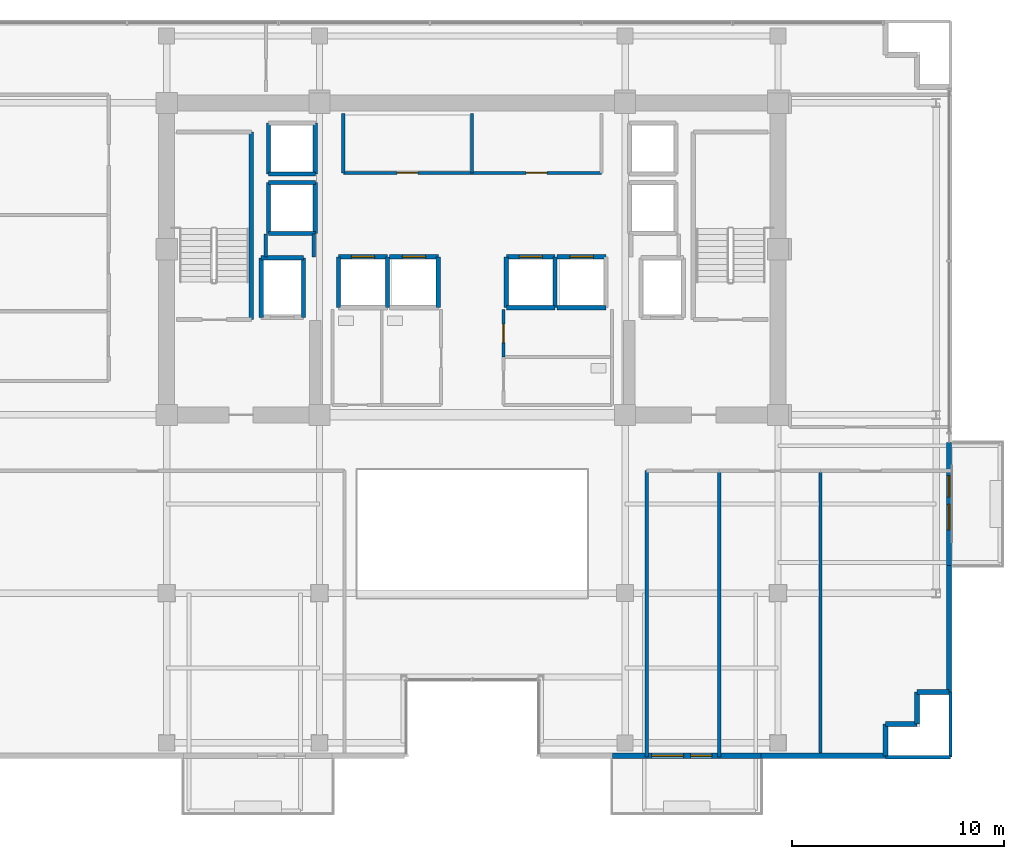
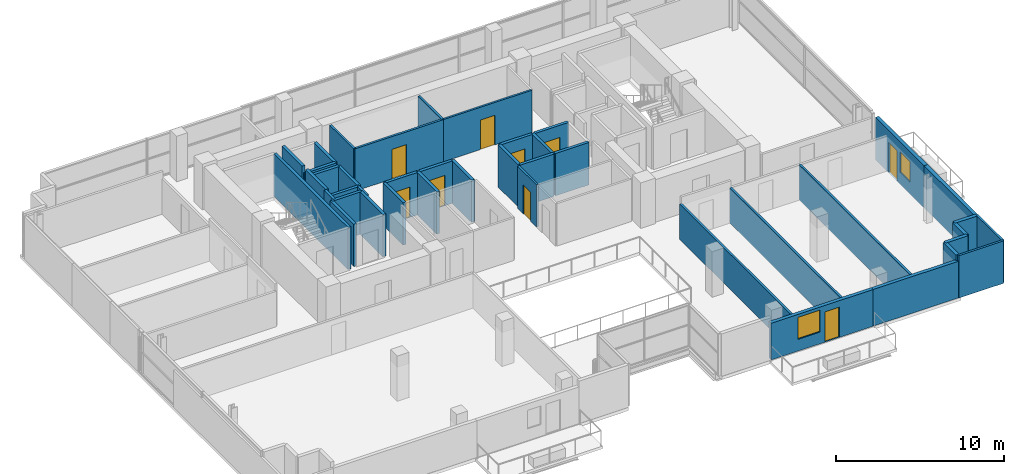
# One storey, part 19 of 25: 42 walls, 9 doors, 2 windows, 11 openings.
"""IFC4 building model written with IfcOpenShell, lengths in metres."""

from ifc_helpers import new_model, si_unit, direction, frame, frame_2d, origin, place, context, subcontext, project, spatial, rectangle, extrude, source, transform, mapped, material, layer, layer_set, type_object, element, fill, save


model = new_model("IFC4")

# Units and contexts
model_context = context("Model", 3, precision=1e-05, world=origin(), true_north=direction((0.0, 1.0)))
body_context = subcontext(model_context, "Body", "Model", "MODEL_VIEW")
ifc_project = project(units=[si_unit("LENGTHUNIT", "METRE"), si_unit("AREAUNIT", "SQUARE_METRE"), si_unit("VOLUMEUNIT", "CUBIC_METRE"), si_unit("PLANEANGLEUNIT", "RADIAN"), si_unit("MASSUNIT", "GRAM", prefix="KILO")], contexts=[model_context])

# Site, building, storey
site_placement = place(None, origin())
site = spatial("IfcSite", under=ifc_project, at=site_placement, CompositionType="ELEMENT")
building_placement = place(site_placement, origin())
building = spatial("IfcBuilding", under=site, at=building_placement, Name="Zarnakvel Exchange Tower", CompositionType="ELEMENT")
storey_placement = place(building_placement, frame((0.0, 0.0, 156.10009765625)))
storey = spatial("IfcBuildingStorey", under=building, at=storey_placement, Name="L43", CompositionType="ELEMENT", Elevation=156.10009765625)

# Wall, openings, door, window
ifc_material_1 = material(Name="Precast concrete C40/50", Category="concrete")
ifc_layer_1 = layer(ifc_material_1, 0.239990234375)
ifc_layer_set_1 = layer_set([ifc_layer_1], Name="Precast concrete C40/50")
wall_type_1 = type_object("IfcWallType", Name="EW-02", PredefinedType="SOLIDWALL", material=ifc_layer_set_1)
wall_1_placement = place(storey_placement, frame((13.60009765625, -17.260009765625, 0.0), z_axis=(0.0, 0.0, 1.0), x_axis=(-1.0, 0.0, 0.0)))
wall_1 = element("IfcWall", 1, at=wall_1_placement, inside=storey, type_object=wall_type_1, Name="L43 Exterior Precast Spandrel Wall EW-BAL-L43-SE (EW-02)", PredefinedType="SOLIDWALL", context=body_context, shape_type="SweptSolid", body=[
    extrude(rectangle(XDim=7.0, YDim=0.239990234375, at=frame_2d((3.5, 0.0))), origin(), (0.0, 0.0, 1.0), 2.664794921875),
])
opening_1_placement = place(wall_1_placement, frame((2.31005859375, 0.0, 0.0)))
opening_1 = element("IfcOpeningElement", 2, at=opening_1_placement, cuts=wall_1, Name="Opening BD-L43-02", PredefinedType="OPENING", context=body_context, shape_type="SweptSolid", body=[
    extrude(rectangle(XDim=1.0, YDim=2.199951171875, at=frame_2d((0.5, 1.10009765625))), frame((0.0, 0.1298828125, 0.0), z_axis=(0.0, -1.0, 0.0), x_axis=(1.0, 0.0, 0.0)), (0.0, 0.0, 1.0), 0.260009765625),
])
opening_2_placement = place(wall_1_placement, frame((3.64990234375, 0.0, 0.85009765625)))
opening_2 = element("IfcOpeningElement", 3, at=opening_2_placement, cuts=wall_1, Name="Opening WN-03", PredefinedType="OPENING", context=body_context, shape_type="SweptSolid", body=[
    extrude(rectangle(XDim=1.5, YDim=1.60009765625, at=frame_2d((0.75, 0.800048828125))), frame((0.0, 0.1298828125, 0.0), z_axis=(0.0, -1.0, 0.0), x_axis=(1.0, 0.0, 0.0)), (0.0, 0.0, 1.0), 0.260009765625),
])
ifc_material_2 = material(Name="Architectural Bronze Anodised Aluminium", Category="aluminium")
door_type_1 = type_object("IfcDoorType", Name="DT-09", OperationType="NOTDEFINED", PredefinedType="DOOR", material=ifc_material_2)
shared_shape_1 = source(origin(), body_context, "Body", "SweptSolid", [
    extrude(rectangle(XDim=1.0, YDim=2.199951171875, at=frame_2d((0.5, 1.10009765625))), frame((0.0, 0.02490234375, 0.0), z_axis=(0.0, -1.0, 0.0), x_axis=(1.0, 0.0, 0.0)), (0.0, 0.0, 1.0), 0.050048828125),
])
door_1_placement = place(opening_1_placement, origin())
door_1 = element("IfcDoor", 4, at=door_1_placement, inside=storey, type_object=door_type_1, Name="L43 Planted Loggia Balcony Door BD-L43-02", OperationType="SINGLE_SWING_RIGHT", OverallHeight=2.199951171875, OverallWidth=1.0, PredefinedType="DOOR", context=body_context, shape_type="MappedRepresentation", body=[
    mapped(shared_shape_1, transform((0.0, 0.0, 0.0), x_axis=(1.0, 0.0, 0.0), y_axis=(0.0, 1.0, 0.0), z_axis=(0.0, 0.0, 1.0), scale=1.0)),
])
fill(opening_1, door_1)
ifc_material_3 = material(Name="Double Low-E Laminated Vision Glass", Category="glass")
window_type_1 = type_object("IfcWindowType", Name="WN-03", PartitioningType="SINGLE_PANEL", PredefinedType="WINDOW", material=ifc_material_3)
shared_shape_2 = source(origin(), body_context, "Body", "SweptSolid", [
    extrude(rectangle(XDim=1.5, YDim=1.60009765625, at=frame_2d((0.75, 0.800048828125))), frame((0.0, 0.030029296875, 0.0), z_axis=(0.0, -1.0, 0.0), x_axis=(1.0, 0.0, 0.0)), (0.0, 0.0, 1.0), 0.06005859375),
])
window_1_placement = place(opening_2_placement, origin())
window_1 = element("IfcWindow", 5, at=window_1_placement, inside=storey, type_object=window_type_1, Name="L43 Loggia Daylight Window (WN-03)", OverallHeight=1.60009765625, OverallWidth=1.5, PartitioningType="SINGLE_PANEL", PredefinedType="WINDOW", context=body_context, shape_type="MappedRepresentation", body=[
    mapped(shared_shape_2, transform((0.0, 0.0, 0.0), x_axis=(1.0, 0.0, 0.0), y_axis=(0.0, 1.0, 0.0), z_axis=(0.0, 0.0, 1.0), scale=1.0)),
])
fill(opening_2, window_1)

wall_2_placement = place(storey_placement, frame((22.4599609375, -2.5, 0.0), z_axis=(0.0, 0.0, 1.0), x_axis=(0.0, -1.0, 0.0)))
wall_2 = element("IfcWall", 6, at=wall_2_placement, inside=storey, type_object=wall_type_1, Name="L43 Exterior Precast Spandrel Wall EW-BAL-L43-E (EW-02)", PredefinedType="SOLIDWALL", context=body_context, shape_type="SweptSolid", body=[
    extrude(rectangle(XDim=5.800048828125, YDim=0.239990234375, at=frame_2d((2.89990234375, 0.0))), origin(), (0.0, 0.0, 1.0), 3.074951171875),
])
opening_3_placement = place(wall_2_placement, frame((1.56591796875, 0.0, 0.0)))
opening_3 = element("IfcOpeningElement", 7, at=opening_3_placement, cuts=wall_2, Name="Opening BD-L43-03", PredefinedType="OPENING", context=body_context, shape_type="SweptSolid", body=[
    extrude(rectangle(XDim=1.0, YDim=2.199951171875, at=frame_2d((0.5, 1.10009765625))), frame((0.0, 0.1298828125, 0.0), z_axis=(0.0, -1.0, 0.0), x_axis=(1.0, 0.0, 0.0)), (0.0, 0.0, 1.0), 0.260009765625),
])
opening_4_placement = place(wall_2_placement, frame((2.916015625, 0.0, 0.85009765625)))
opening_4 = element("IfcOpeningElement", 8, at=opening_4_placement, cuts=wall_2, Name="Opening WN-04", PredefinedType="OPENING", context=body_context, shape_type="SweptSolid", body=[
    extrude(rectangle(XDim=1.199951171875, YDim=1.5, at=frame_2d((0.60009765625, 0.75))), frame((0.0, 0.1298828125, 0.0), z_axis=(0.0, -1.0, 0.0), x_axis=(1.0, 0.0, 0.0)), (0.0, 0.0, 1.0), 0.260009765625),
])
door_2_placement = place(opening_3_placement, origin())
door_2 = element("IfcDoor", 9, at=door_2_placement, inside=storey, type_object=door_type_1, Name="L43 Planted Loggia Balcony Door BD-L43-03", OperationType="SINGLE_SWING_LEFT", OverallHeight=2.199951171875, OverallWidth=1.0, PredefinedType="DOOR", context=body_context, shape_type="MappedRepresentation", body=[
    mapped(shared_shape_1, transform((0.0, 0.0, 0.0), x_axis=(1.0, 0.0, 0.0), y_axis=(0.0, 1.0, 0.0), z_axis=(0.0, 0.0, 1.0), scale=1.0)),
])
fill(opening_3, door_2)
window_type_2 = type_object("IfcWindowType", Name="WN-04", PartitioningType="SINGLE_PANEL", PredefinedType="WINDOW", material=ifc_material_3)
shared_shape_3 = source(origin(), body_context, "Body", "SweptSolid", [
    extrude(rectangle(XDim=1.199951171875, YDim=1.5, at=frame_2d((0.60009765625, 0.75))), frame((0.0, 0.030029296875, 0.0), z_axis=(0.0, -1.0, 0.0), x_axis=(1.0, 0.0, 0.0)), (0.0, 0.0, 1.0), 0.06005859375),
])
window_2_placement = place(opening_4_placement, origin())
window_2 = element("IfcWindow", 10, at=window_2_placement, inside=storey, type_object=window_type_2, Name="L43 Loggia Daylight Window (WN-04)", OverallHeight=1.5, OverallWidth=1.199951171875, PartitioningType="SINGLE_PANEL", PredefinedType="WINDOW", context=body_context, shape_type="MappedRepresentation", body=[
    mapped(shared_shape_3, transform((0.0, 0.0, 0.0), x_axis=(1.0, 0.0, 0.0), y_axis=(0.0, 1.0, 0.0), z_axis=(0.0, 0.0, 1.0), scale=1.0)),
])
fill(opening_4, window_2)

# Walls
wall_3_placement = place(storey_placement, frame((22.4599609375, -14.260009765625, 0.0), z_axis=(0.0, 0.0, 1.0), x_axis=(0.0, 1.0, 0.0)))
element("IfcWall", 11, at=wall_3_placement, inside=storey, type_object=wall_type_1, Name="L43 Exterior Precast Spandrel Wall EWC-L43-10 (EW-02)", PredefinedType="SOLIDWALL", context=body_context, shape_type="SweptSolid", body=[
    extrude(rectangle(XDim=5.9599609375, YDim=0.239990234375, at=frame_2d((2.97998046875, 0.0))), origin(), (0.0, 0.0, 1.0), 3.074951171875),
])
for number, where, z_axis, x_axis, name in (
    (12, (20.9599609375, -14.260009765625, 0.0), (0.0, 0.0, 1.0), (1.0, 0.0, 0.0), "L43 Exterior Precast Spandrel Wall EWC-L43-11 (EW-02)"),
    (13, (20.9599609375, -15.760009765625, 0.0), (0.0, 0.0, 1.0), (0.0, 1.0, 0.0), "L43 Exterior Precast Spandrel Wall EWC-L43-12 (EW-02)"),
    (14, (19.4599609375, -15.760009765625, 0.0), (0.0, 0.0, 1.0), (1.0, 0.0, 0.0), "L43 Exterior Precast Spandrel Wall EWC-L43-13 (EW-02)"),
    (15, (19.4599609375, -17.260009765625, 0.0), (0.0, 0.0, 1.0), (0.0, 1.0, 0.0), "L43 Exterior Precast Spandrel Wall EWC-L43-14 (EW-02)"),
):
    element("IfcWall", number, at=place(storey_placement, frame(where, z_axis=z_axis, x_axis=x_axis)), inside=storey, type_object=wall_type_1, Name=name, PredefinedType="SOLIDWALL", context=body_context, shape_type="SweptSolid", body=[
        extrude(rectangle(XDim=1.5, YDim=0.239990234375, at=frame_2d((0.75, 0.0))), origin(), (0.0, 0.0, 1.0), 3.074951171875),
    ])
wall_4_placement = place(storey_placement, frame((13.60009765625, -17.260009765625, 0.0), z_axis=(0.0, 0.0, 1.0), x_axis=(1.0, 0.0, 0.0)))
element("IfcWall", 16, at=wall_4_placement, inside=storey, type_object=wall_type_1, Name="L43 Exterior Precast Spandrel Wall EWC-L43-15 (EW-02)", PredefinedType="SOLIDWALL", context=body_context, shape_type="SweptSolid", body=[
    extrude(rectangle(XDim=5.85986328125, YDim=0.239990234375, at=frame_2d((2.929931640625, 0.0))), origin(), (0.0, 0.0, 1.0), 2.664794921875),
])

# Wall, opening, door
ifc_material_4 = material(Name="Fire-Rated Gypsum Stud Partition", Category="gypsum")
ifc_layer_2 = layer(ifc_material_4, 0.14990234375)
ifc_layer_set_2 = layer_set([ifc_layer_2], Name="Fire-Rated Gypsum Stud Partition")
wall_type_2 = type_object("IfcWallType", Name="PT-01", PredefinedType="PARTITIONING", material=ifc_layer_set_2)
wall_5_placement = place(storey_placement, frame((-0.02001953125, 10.199951171875, 0.0), z_axis=(0.0, 0.0, 1.0), x_axis=(-1.0, 0.0, 0.0)))
wall_5 = element("IfcWall", 17, at=wall_5_placement, inside=storey, type_object=wall_type_2, Name="L43 Partition Wall PWALL-L43-011 (PT-01)", PredefinedType="PARTITIONING", context=body_context, shape_type="SweptSolid", body=[
    extrude(rectangle(XDim=6.06005859375, YDim=0.14990234375, at=frame_2d((3.030029296875, 0.0))), origin(), (0.0, 0.0, 1.0), 3.074951171875),
])
opening_5_placement = place(wall_5_placement, frame((2.5400390625, 0.0, 0.0)))
opening_5 = element("IfcOpeningElement", 18, at=opening_5_placement, cuts=wall_5, Name="Opening D-L43-05", PredefinedType="OPENING", context=body_context, shape_type="SweptSolid", body=[
    extrude(rectangle(XDim=0.97998046875, YDim=2.14990234375, at=frame_2d((0.489990234375, 1.074951171875))), frame((0.0, 0.0849609375, 0.0), z_axis=(0.0, -1.0, 0.0), x_axis=(1.0, 0.0, 0.0)), (0.0, 0.0, 1.0), 0.169921875),
])
ifc_material_5 = material(Name="Timber Acoustic Veneer", Category="wood")
door_type_2 = type_object("IfcDoorType", Name="DT-05", OperationType="NOTDEFINED", PredefinedType="DOOR", material=ifc_material_5)
shared_shape_4 = source(origin(), body_context, "Body", "SweptSolid", [
    extrude(rectangle(XDim=0.97998046875, YDim=2.14990234375, at=frame_2d((0.489990234375, 1.074951171875))), frame((0.0, 0.02490234375, 0.0), z_axis=(0.0, -1.0, 0.0), x_axis=(1.0, 0.0, 0.0)), (0.0, 0.0, 1.0), 0.050048828125),
])
door_3_placement = place(opening_5_placement, origin())
door_3 = element("IfcDoor", 19, at=door_3_placement, inside=storey, type_object=door_type_2, Name="L43 Settlement Records Suite Door D-L43-05", OperationType="SINGLE_SWING_RIGHT", OverallHeight=2.14990234375, OverallWidth=0.97998046875, PredefinedType="DOOR", context=body_context, shape_type="MappedRepresentation", body=[
    mapped(shared_shape_4, transform((0.0, 0.0, 0.0), x_axis=(1.0, 0.0, 0.0), y_axis=(0.0, 1.0, 0.0), z_axis=(0.0, 0.0, 1.0), scale=1.0)),
])
fill(opening_5, door_3)

# Walls
for number, where, z_axis, x_axis, name in (
    (20, (-6.080078125, 10.199951171875, 0.0), (0.0, 0.0, 1.0), (0.0, 1.0, 0.0), "L43 Partition Wall PWALL-L43-012 (PT-01)"),
    (21, (-0.02001953125, 13.0, 0.0), (0.0, 0.0, 1.0), (0.0, -1.0, 0.0), "L43 Partition Wall PWALL-L43-013 (PT-01)"),
):
    element("IfcWall", number, at=place(storey_placement, frame(where, z_axis=z_axis, x_axis=x_axis)), inside=storey, type_object=wall_type_2, Name=name, PredefinedType="PARTITIONING", context=body_context, shape_type="SweptSolid", body=[
        extrude(rectangle(XDim=2.800048828125, YDim=0.14990234375, at=frame_2d((1.39990234375, 0.0))), origin(), (0.0, 0.0, 1.0), 3.074951171875),
    ])

# Wall, opening, door
wall_6_placement = place(storey_placement, frame((1.469970703125, 1.52001953125, 0.0), z_axis=(0.0, 0.0, 1.0), x_axis=(0.0, 1.0, 0.0)))
wall_6 = element("IfcWall", 22, at=wall_6_placement, inside=storey, type_object=wall_type_2, Name="L43 Partition Wall PWALL-L43-025 (PT-01)", PredefinedType="PARTITIONING", context=body_context, shape_type="SweptSolid", body=[
    extrude(rectangle(XDim=2.239990234375, YDim=0.14990234375, at=frame_2d((1.1201171875, 0.0))), origin(), (0.0, 0.0, 1.0), 3.074951171875),
])
opening_6_placement = place(wall_6_placement, frame((0.679931640625, 0.0, 0.0)))
opening_6 = element("IfcOpeningElement", 23, at=opening_6_placement, cuts=wall_6, Name="Opening D-L43-10", PredefinedType="OPENING", context=body_context, shape_type="SweptSolid", body=[
    extrude(rectangle(XDim=0.8798828125, YDim=2.10009765625, at=frame_2d((0.43994140625, 1.050048828125))), frame((0.0, 0.0849609375, 0.0), z_axis=(0.0, -1.0, 0.0), x_axis=(1.0, 0.0, 0.0)), (0.0, 0.0, 1.0), 0.169921875),
])
ifc_material_6 = material(Name="Painted Galvanised Steel S355", Category="steel")
door_type_3 = type_object("IfcDoorType", Name="DT-08", OperationType="NOTDEFINED", PredefinedType="DOOR", material=ifc_material_6)
shared_shape_5 = source(origin(), body_context, "Body", "SweptSolid", [
    extrude(rectangle(XDim=0.8798828125, YDim=2.10009765625, at=frame_2d((0.43994140625, 1.050048828125))), frame((0.0, 0.02490234375, 0.0), z_axis=(0.0, -1.0, 0.0), x_axis=(1.0, 0.0, 0.0)), (0.0, 0.0, 1.0), 0.050048828125),
])
door_4_placement = place(opening_6_placement, origin())
door_4 = element("IfcDoor", 24, at=door_4_placement, inside=storey, type_object=door_type_3, Name="L43 Cleaners Store Door D-L43-10", OperationType="SINGLE_SWING_LEFT", OverallHeight=2.10009765625, OverallWidth=0.8798828125, PredefinedType="DOOR", context=body_context, shape_type="MappedRepresentation", body=[
    mapped(shared_shape_5, transform((0.0, 0.0, 0.0), x_axis=(1.0, 0.0, 0.0), y_axis=(0.0, 1.0, 0.0), z_axis=(0.0, 0.0, 1.0), scale=1.0)),
])
fill(opening_6, door_4)

# Walls
for number, where, z_axis, x_axis, name in (
    (25, (8.214599609375, -17.330078125, 0.0), (0.0, 0.0, 1.0), (0.0, 1.0, 0.0), "L43 Partition Wall PWALL-L43-033 (PT-01)"),
    (26, (11.6298828125, -3.830078125, 0.0), (0.0, 0.0, 1.0), (0.0, -1.0, 0.0), "L43 Partition Wall PWALL-L43-034 (PT-01)"),
    (27, (16.40185546875, -3.830078125, 0.0), (0.0, 0.0, 1.0), (0.0, -1.0, 0.0), "L43 Partition Wall PWALL-L43-037 (PT-01)"),
):
    element("IfcWall", number, at=place(storey_placement, frame(where, z_axis=z_axis, x_axis=x_axis)), inside=storey, type_object=wall_type_2, Name=name, PredefinedType="PARTITIONING", context=body_context, shape_type="SweptSolid", body=[
        extrude(rectangle(XDim=13.5, YDim=0.14990234375, at=frame_2d((6.75, 0.0))), origin(), (0.0, 0.0, 1.0), 2.56494140625),
    ])
for number, where, z_axis, x_axis, name in (
    (28, (22.530029296875, -17.330078125, 0.0), (0.0, 0.0, 1.0), (-1.0, 0.0, 0.0), "L43 Partition Wall PWALL-L43-038 (PT-01)"),
    (29, (22.530029296875, -14.260009765625, 0.0), (0.0, 0.0, 1.0), (0.0, -1.0, 0.0), "L43 Partition Wall PWALL-L43-040 (PT-01)"),
):
    element("IfcWall", number, at=place(storey_placement, frame(where, z_axis=z_axis, x_axis=x_axis)), inside=storey, type_object=wall_type_2, Name=name, PredefinedType="PARTITIONING", context=body_context, shape_type="SweptSolid", body=[
        extrude(rectangle(XDim=3.070068359375, YDim=0.14990234375, at=frame_2d((1.53515625, 0.0))), origin(), (0.0, 0.0, 1.0), 3.074951171875),
    ])
ifc_layer_3 = layer(ifc_material_4, 0.179931640625)
ifc_layer_set_3 = layer_set([ifc_layer_3], Name="Fire-Rated Gypsum Stud Partition")
wall_type_3 = type_object("IfcWallType", Name="PT-02", PredefinedType="PARTITIONING", material=ifc_layer_set_3)
wall_7_placement = place(storey_placement, frame((-9.72998046875, 6.239990234375, 0.0), z_axis=(0.0, 0.0, 1.0), x_axis=(0.0, 1.0, 0.0)))
element("IfcWall", 30, at=wall_7_placement, inside=storey, type_object=wall_type_3, Name="L43 Partition Wall PWALL-L43-007 (PT-02)", PredefinedType="PARTITIONING", context=body_context, shape_type="SweptSolid", body=[
    extrude(rectangle(XDim=1.090087890625, YDim=0.179931640625, at=frame_2d((0.544921875, 0.0))), origin(), (0.0, 0.0, 1.0), 3.074951171875),
])
wall_8_placement = place(storey_placement, frame((-7.469970703125, 7.330078125, 0.0), z_axis=(0.0, 0.0, 1.0), x_axis=(0.0, -1.0, 0.0)))
element("IfcWall", 31, at=wall_8_placement, inside=storey, type_object=wall_type_3, Name="L43 Partition Wall PWALL-L43-008 (PT-02)", PredefinedType="PARTITIONING", context=body_context, shape_type="SweptSolid", body=[
    extrude(rectangle(XDim=1.090087890625, YDim=0.179931640625, at=frame_2d((0.544921875, 0.0))), origin(), (0.0, 0.0, 1.0), 2.56494140625),
])

# Wall, opening, door
ifc_material_7 = material(Name="Moisture-Resistant Tile-Faced Partition", Category="gypsum")
ifc_layer_4 = layer(ifc_material_7, 0.135009765625)
ifc_layer_set_4 = layer_set([ifc_layer_4], Name="Moisture-Resistant Tile-Faced Partition")
wall_type_4 = type_object("IfcWallType", Name="PT-03", PredefinedType="PARTITIONING", material=ifc_layer_set_4)
wall_9_placement = place(storey_placement, frame((6.080078125, 10.199951171875, 0.0), z_axis=(0.0, 0.0, 1.0), x_axis=(-1.0, 0.0, 0.0)))
wall_9 = element("IfcWall", 32, at=wall_9_placement, inside=storey, type_object=wall_type_4, Name="L43 Partition Wall PWALL-L43-014 (PT-03)", PredefinedType="PARTITIONING", context=body_context, shape_type="SweptSolid", body=[
    extrude(rectangle(XDim=6.10009765625, YDim=0.135009765625, at=frame_2d((3.050048828125, 0.0))), origin(), (0.0, 0.0, 1.0), 3.074951171875),
])
opening_7_placement = place(wall_9_placement, frame((2.56005859375, 0.0, 0.0)))
opening_7 = element("IfcOpeningElement", 33, at=opening_7_placement, cuts=wall_9, Name="Opening D-L43-06", PredefinedType="OPENING", context=body_context, shape_type="SweptSolid", body=[
    extrude(rectangle(XDim=0.97998046875, YDim=2.14990234375, at=frame_2d((0.489990234375, 1.074951171875))), frame((0.0, 0.077392578125, 0.0), z_axis=(0.0, -1.0, 0.0), x_axis=(1.0, 0.0, 0.0)), (0.0, 0.0, 1.0), 0.155029296875),
])
door_5_placement = place(opening_7_placement, origin())
door_5 = element("IfcDoor", 34, at=door_5_placement, inside=storey, type_object=door_type_2, Name="L43 Staff Refreshment Pantry Door D-L43-06", OperationType="SINGLE_SWING_LEFT", OverallHeight=2.14990234375, OverallWidth=0.97998046875, PredefinedType="DOOR", context=body_context, shape_type="MappedRepresentation", body=[
    mapped(shared_shape_4, transform((0.0, 0.0, 0.0), x_axis=(1.0, 0.0, 0.0), y_axis=(0.0, 1.0, 0.0), z_axis=(0.0, 0.0, 1.0), scale=1.0)),
])
fill(opening_7, door_5)

# Walls
ifc_material_8 = material(Name="Concrete C40/50", Category="concrete")
ifc_layer_5 = layer(ifc_material_8, 0.199951171875)
ifc_layer_set_5 = layer_set([ifc_layer_5], Name="Concrete C40/50")
wall_type_5 = type_object("IfcWallType", Name="SW-01", PredefinedType="SOLIDWALL", material=ifc_layer_set_5)
wall_10_placement = place(storey_placement, frame((-9.949951171875, 6.199951171875, 0.0), z_axis=(0.0, 0.0, 1.0), x_axis=(1.0, 0.0, 0.0)))
element("IfcWall", 35, at=wall_10_placement, inside=storey, type_object=wall_type_5, Name="L43 FL-01 Hoistway Wall North", PredefinedType="SOLIDWALL", context=body_context, shape_type="SweptSolid", body=[
    extrude(rectangle(XDim=2.0, YDim=0.199951171875, at=frame_2d((1.0, 0.0))), origin(), (0.0, 0.0, 1.0), 3.074951171875),
])
for number, where, z_axis, x_axis, name in (
    (36, (-9.949951171875, 3.39990234375, 0.0), (0.0, 0.0, 1.0), (0.0, 1.0, 0.0), "L43 FL-01 Hoistway Wall West"),
    (37, (-7.949951171875, 6.199951171875, 0.0), (0.0, 0.0, 1.0), (0.0, -1.0, 0.0), "L43 FL-01 Hoistway Wall East"),
):
    element("IfcWall", number, at=place(storey_placement, frame(where, z_axis=z_axis, x_axis=x_axis)), inside=storey, type_object=wall_type_5, Name=name, PredefinedType="SOLIDWALL", context=body_context, shape_type="SweptSolid", body=[
        extrude(rectangle(XDim=2.800048828125, YDim=0.199951171875, at=frame_2d((1.39990234375, 0.0))), origin(), (0.0, 0.0, 1.0), 3.074951171875),
    ])

# Wall, opening, door
wall_11_placement = place(storey_placement, frame((-6.300048828125, 6.25, 0.0), z_axis=(0.0, 0.0, 1.0), x_axis=(1.0, 0.0, 0.0)))
wall_11 = element("IfcWall", 38, at=wall_11_placement, inside=storey, type_object=wall_type_5, Name="L43 PL-05 Hoistway Wall North", PredefinedType="SOLIDWALL", context=body_context, shape_type="SweptSolid", body=[
    extrude(rectangle(XDim=2.300048828125, YDim=0.199951171875, at=frame_2d((1.14990234375, 0.0))), origin(), (0.0, 0.0, 1.0), 3.074951171875),
])
opening_8_placement = place(wall_11_placement, frame((0.60009765625, 0.0, 0.0)))
opening_8 = element("IfcOpeningElement", 39, at=opening_8_placement, cuts=wall_11, Name="Opening LD-PL-05-L43", PredefinedType="OPENING", context=body_context, shape_type="SweptSolid", body=[
    extrude(rectangle(XDim=1.10009765625, YDim=2.199951171875, at=frame_2d((0.550048828125, 1.10009765625))), frame((0.0, 0.10986328125, 0.0), z_axis=(0.0, -1.0, 0.0), x_axis=(1.0, 0.0, 0.0)), (0.0, 0.0, 1.0), 0.219970703125),
])
door_type_4 = type_object("IfcDoorType", Name="LDT-02", OperationType="NOTDEFINED", PredefinedType="DOOR", material=ifc_material_2)
shared_shape_6 = source(origin(), body_context, "Body", "SweptSolid", [
    extrude(rectangle(XDim=1.10009765625, YDim=2.199951171875, at=frame_2d((0.550048828125, 1.10009765625))), frame((0.0, 0.02490234375, 0.0), z_axis=(0.0, -1.0, 0.0), x_axis=(1.0, 0.0, 0.0)), (0.0, 0.0, 1.0), 0.050048828125),
])
door_6_placement = place(opening_8_placement, origin())
door_6 = element("IfcDoor", 40, at=door_6_placement, inside=storey, type_object=door_type_4, Name="L43 PL-05 Lift Landing Door LD-PL-05-L43", OperationType="DOUBLE_DOOR_SLIDING", OverallHeight=2.199951171875, OverallWidth=1.10009765625, PredefinedType="DOOR", context=body_context, shape_type="MappedRepresentation", body=[
    mapped(shared_shape_6, transform((0.0, 0.0, 0.0), x_axis=(1.0, 0.0, 0.0), y_axis=(0.0, 1.0, 0.0), z_axis=(0.0, 0.0, 1.0), scale=1.0)),
])
fill(opening_8, door_6)

# Walls
for number, where, z_axis, x_axis, name in (
    (41, (-6.300048828125, 3.85009765625, 0.0), (0.0, 0.0, 1.0), (0.0, 1.0, 0.0), "L43 PL-05 Hoistway Wall West"),
    (42, (-4.0, 6.25, 0.0), (0.0, 0.0, 1.0), (0.0, -1.0, 0.0), "L43 PL-05 Hoistway Wall East"),
):
    element("IfcWall", number, at=place(storey_placement, frame(where, z_axis=z_axis, x_axis=x_axis)), inside=storey, type_object=wall_type_5, Name=name, PredefinedType="SOLIDWALL", context=body_context, shape_type="SweptSolid", body=[
        extrude(rectangle(XDim=2.39990234375, YDim=0.199951171875, at=frame_2d((1.199951171875, 0.0))), origin(), (0.0, 0.0, 1.0), 3.074951171875),
    ])

# Wall, opening, door
wall_12_placement = place(storey_placement, frame((-3.89990234375, 6.25, 0.0), z_axis=(0.0, 0.0, 1.0), x_axis=(1.0, 0.0, 0.0)))
wall_12 = element("IfcWall", 43, at=wall_12_placement, inside=storey, type_object=wall_type_5, Name="L43 PL-06 Hoistway Wall North", PredefinedType="SOLIDWALL", context=body_context, shape_type="SweptSolid", body=[
    extrude(rectangle(XDim=2.2998046875, YDim=0.199951171875, at=frame_2d((1.14990234375, 0.0))), origin(), (0.0, 0.0, 1.0), 3.074951171875),
])
opening_9_placement = place(wall_12_placement, frame((0.60009765625, 0.0, 0.0)))
opening_9 = element("IfcOpeningElement", 44, at=opening_9_placement, cuts=wall_12, Name="Opening LD-PL-06-L43", PredefinedType="OPENING", context=body_context, shape_type="SweptSolid", body=[
    extrude(rectangle(XDim=1.10009765625, YDim=2.199951171875, at=frame_2d((0.550048828125, 1.10009765625))), frame((0.0, 0.10986328125, 0.0), z_axis=(0.0, -1.0, 0.0), x_axis=(1.0, 0.0, 0.0)), (0.0, 0.0, 1.0), 0.219970703125),
])
door_7_placement = place(opening_9_placement, origin())
door_7 = element("IfcDoor", 45, at=door_7_placement, inside=storey, type_object=door_type_4, Name="L43 PL-06 Lift Landing Door LD-PL-06-L43", OperationType="DOUBLE_DOOR_SLIDING", OverallHeight=2.199951171875, OverallWidth=1.10009765625, PredefinedType="DOOR", context=body_context, shape_type="MappedRepresentation", body=[
    mapped(shared_shape_6, transform((0.0, 0.0, 0.0), x_axis=(1.0, 0.0, 0.0), y_axis=(0.0, 1.0, 0.0), z_axis=(0.0, 0.0, 1.0), scale=1.0)),
])
fill(opening_9, door_7)

# Walls
wall_13_placement = place(storey_placement, frame((-1.60009765625, 6.25, 0.0), z_axis=(0.0, 0.0, 1.0), x_axis=(0.0, -1.0, 0.0)))
element("IfcWall", 46, at=wall_13_placement, inside=storey, type_object=wall_type_5, Name="L43 PL-06 Hoistway Wall East", PredefinedType="SOLIDWALL", context=body_context, shape_type="SweptSolid", body=[
    extrude(rectangle(XDim=2.39990234375, YDim=0.199951171875, at=frame_2d((1.199951171875, 0.0))), origin(), (0.0, 0.0, 1.0), 3.074951171875),
])
wall_14_placement = place(storey_placement, frame((3.89990234375, 3.85009765625, 0.0), z_axis=(0.0, 0.0, 1.0), x_axis=(-1.0, 0.0, 0.0)))
element("IfcWall", 47, at=wall_14_placement, inside=storey, type_object=wall_type_5, Name="L43 PL-07 Hoistway Wall South", PredefinedType="SOLIDWALL", context=body_context, shape_type="SweptSolid", body=[
    extrude(rectangle(XDim=2.2998046875, YDim=0.199951171875, at=frame_2d((1.14990234375, 0.0))), origin(), (0.0, 0.0, 1.0), 3.074951171875),
])

# Wall, opening, door
wall_15_placement = place(storey_placement, frame((1.60009765625, 6.25, 0.0), z_axis=(0.0, 0.0, 1.0), x_axis=(1.0, 0.0, 0.0)))
wall_15 = element("IfcWall", 48, at=wall_15_placement, inside=storey, type_object=wall_type_5, Name="L43 PL-07 Hoistway Wall North", PredefinedType="SOLIDWALL", context=body_context, shape_type="SweptSolid", body=[
    extrude(rectangle(XDim=2.2998046875, YDim=0.199951171875, at=frame_2d((1.14990234375, 0.0))), origin(), (0.0, 0.0, 1.0), 3.074951171875),
])
opening_10_placement = place(wall_15_placement, frame((0.60009765625, 0.0, 0.0)))
opening_10 = element("IfcOpeningElement", 49, at=opening_10_placement, cuts=wall_15, Name="Opening LD-PL-07-L43", PredefinedType="OPENING", context=body_context, shape_type="SweptSolid", body=[
    extrude(rectangle(XDim=1.10009765625, YDim=2.199951171875, at=frame_2d((0.550048828125, 1.10009765625))), frame((0.0, 0.10986328125, 0.0), z_axis=(0.0, -1.0, 0.0), x_axis=(1.0, 0.0, 0.0)), (0.0, 0.0, 1.0), 0.219970703125),
])
door_8_placement = place(opening_10_placement, origin())
door_8 = element("IfcDoor", 50, at=door_8_placement, inside=storey, type_object=door_type_4, Name="L43 PL-07 Lift Landing Door LD-PL-07-L43", OperationType="DOUBLE_DOOR_SLIDING", OverallHeight=2.199951171875, OverallWidth=1.10009765625, PredefinedType="DOOR", context=body_context, shape_type="MappedRepresentation", body=[
    mapped(shared_shape_6, transform((0.0, 0.0, 0.0), x_axis=(1.0, 0.0, 0.0), y_axis=(0.0, 1.0, 0.0), z_axis=(0.0, 0.0, 1.0), scale=1.0)),
])
fill(opening_10, door_8)

# Walls
for number, where, z_axis, x_axis, name in (
    (51, (1.60009765625, 3.85009765625, 0.0), (0.0, 0.0, 1.0), (0.0, 1.0, 0.0), "L43 PL-07 Hoistway Wall West"),
    (52, (3.89990234375, 6.25, 0.0), (0.0, 0.0, 1.0), (0.0, -1.0, 0.0), "L43 PL-07 Hoistway Wall East"),
):
    element("IfcWall", number, at=place(storey_placement, frame(where, z_axis=z_axis, x_axis=x_axis)), inside=storey, type_object=wall_type_5, Name=name, PredefinedType="SOLIDWALL", context=body_context, shape_type="SweptSolid", body=[
        extrude(rectangle(XDim=2.39990234375, YDim=0.199951171875, at=frame_2d((1.199951171875, 0.0))), origin(), (0.0, 0.0, 1.0), 3.074951171875),
    ])
wall_16_placement = place(storey_placement, frame((6.300048828125, 3.85009765625, 0.0), z_axis=(0.0, 0.0, 1.0), x_axis=(-1.0, 0.0, 0.0)))
element("IfcWall", 53, at=wall_16_placement, inside=storey, type_object=wall_type_5, Name="L43 PL-08 Hoistway Wall South", PredefinedType="SOLIDWALL", context=body_context, shape_type="SweptSolid", body=[
    extrude(rectangle(XDim=2.300048828125, YDim=0.199951171875, at=frame_2d((1.14990234375, 0.0))), origin(), (0.0, 0.0, 1.0), 3.074951171875),
])

# Wall, opening, door
wall_17_placement = place(storey_placement, frame((4.0, 6.25, 0.0), z_axis=(0.0, 0.0, 1.0), x_axis=(1.0, 0.0, 0.0)))
wall_17 = element("IfcWall", 54, at=wall_17_placement, inside=storey, type_object=wall_type_5, Name="L43 PL-08 Hoistway Wall North", PredefinedType="SOLIDWALL", context=body_context, shape_type="SweptSolid", body=[
    extrude(rectangle(XDim=2.300048828125, YDim=0.199951171875, at=frame_2d((1.14990234375, 0.0))), origin(), (0.0, 0.0, 1.0), 3.074951171875),
])
opening_11_placement = place(wall_17_placement, frame((0.60009765625, 0.0, 0.0)))
opening_11 = element("IfcOpeningElement", 55, at=opening_11_placement, cuts=wall_17, Name="Opening LD-PL-08-L43", PredefinedType="OPENING", context=body_context, shape_type="SweptSolid", body=[
    extrude(rectangle(XDim=1.10009765625, YDim=2.199951171875, at=frame_2d((0.550048828125, 1.10009765625))), frame((0.0, 0.10986328125, 0.0), z_axis=(0.0, -1.0, 0.0), x_axis=(1.0, 0.0, 0.0)), (0.0, 0.0, 1.0), 0.219970703125),
])
door_9_placement = place(opening_11_placement, origin())
door_9 = element("IfcDoor", 56, at=door_9_placement, inside=storey, type_object=door_type_4, Name="L43 PL-08 Lift Landing Door LD-PL-08-L43", OperationType="DOUBLE_DOOR_SLIDING", OverallHeight=2.199951171875, OverallWidth=1.10009765625, PredefinedType="DOOR", context=body_context, shape_type="MappedRepresentation", body=[
    mapped(shared_shape_6, transform((0.0, 0.0, 0.0), x_axis=(1.0, 0.0, 0.0), y_axis=(0.0, 1.0, 0.0), z_axis=(0.0, 0.0, 1.0), scale=1.0)),
])
fill(opening_11, door_9)

# Walls
for number, where, z_axis, x_axis, name in (
    (57, (-7.39990234375, 7.35009765625, 0.0), (0.0, 0.0, 1.0), (-1.0, 0.0, 0.0), "L43 PL-09 Hoistway Wall South"),
    (58, (-9.60009765625, 9.75, 0.0), (0.0, 0.0, 1.0), (1.0, 0.0, 0.0), "L43 PL-09 Hoistway Wall North"),
):
    element("IfcWall", number, at=place(storey_placement, frame(where, z_axis=z_axis, x_axis=x_axis)), inside=storey, type_object=wall_type_5, Name=name, PredefinedType="SOLIDWALL", context=body_context, shape_type="SweptSolid", body=[
        extrude(rectangle(XDim=2.2001953125, YDim=0.199951171875, at=frame_2d((1.10009765625, 0.0))), origin(), (0.0, 0.0, 1.0), 2.56494140625),
    ])
wall_18_placement = place(storey_placement, frame((-9.60009765625, 7.35009765625, 0.0), z_axis=(0.0, 0.0, 1.0), x_axis=(0.0, 1.0, 0.0)))
element("IfcWall", 59, at=wall_18_placement, inside=storey, type_object=wall_type_5, Name="L43 PL-09 Hoistway Wall West", PredefinedType="SOLIDWALL", context=body_context, shape_type="SweptSolid", body=[
    extrude(rectangle(XDim=2.39990234375, YDim=0.199951171875, at=frame_2d((1.199951171875, 0.0))), origin(), (0.0, 0.0, 1.0), 3.074951171875),
])
wall_19_placement = place(storey_placement, frame((-7.39990234375, 9.75, 0.0), z_axis=(0.0, 0.0, 1.0), x_axis=(0.0, -1.0, 0.0)))
element("IfcWall", 60, at=wall_19_placement, inside=storey, type_object=wall_type_5, Name="L43 PL-09 Hoistway Wall East", PredefinedType="SOLIDWALL", context=body_context, shape_type="SweptSolid", body=[
    extrude(rectangle(XDim=2.39990234375, YDim=0.199951171875, at=frame_2d((1.199951171875, 0.0))), origin(), (0.0, 0.0, 1.0), 2.56494140625),
])
wall_20_placement = place(storey_placement, frame((-7.39990234375, 10.14990234375, 0.0), z_axis=(0.0, 0.0, 1.0), x_axis=(-1.0, 0.0, 0.0)))
element("IfcWall", 61, at=wall_20_placement, inside=storey, type_object=wall_type_5, Name="L43 PL-10 Hoistway Wall South", PredefinedType="SOLIDWALL", context=body_context, shape_type="SweptSolid", body=[
    extrude(rectangle(XDim=2.2001953125, YDim=0.199951171875, at=frame_2d((1.10009765625, 0.0))), origin(), (0.0, 0.0, 1.0), 2.56494140625),
])
wall_21_placement = place(storey_placement, frame((-9.60009765625, 10.14990234375, 0.0), z_axis=(0.0, 0.0, 1.0), x_axis=(0.0, 1.0, 0.0)))
element("IfcWall", 62, at=wall_21_placement, inside=storey, type_object=wall_type_5, Name="L43 PL-10 Hoistway Wall West", PredefinedType="SOLIDWALL", context=body_context, shape_type="SweptSolid", body=[
    extrude(rectangle(XDim=2.400146484375, YDim=0.199951171875, at=frame_2d((1.2001953125, 0.0))), origin(), (0.0, 0.0, 1.0), 3.074951171875),
])
wall_22_placement = place(storey_placement, frame((-7.39990234375, 12.550048828125, 0.0), z_axis=(0.0, 0.0, 1.0), x_axis=(0.0, -1.0, 0.0)))
element("IfcWall", 63, at=wall_22_placement, inside=storey, type_object=wall_type_5, Name="L43 PL-10 Hoistway Wall East", PredefinedType="SOLIDWALL", context=body_context, shape_type="SweptSolid", body=[
    extrude(rectangle(XDim=2.400146484375, YDim=0.199951171875, at=frame_2d((1.2001953125, 0.0))), origin(), (0.0, 0.0, 1.0), 2.56494140625),
])
ifc_layer_6 = layer(ifc_material_8, 0.199951171875)
ifc_layer_set_6 = layer_set([ifc_layer_6], Name="Concrete C40/50")
wall_type_6 = type_object("IfcWallType", Name="SW-02", PredefinedType="SOLIDWALL", material=ifc_layer_set_6)
wall_23_placement = place(storey_placement, frame((-10.409912109375, 12.1298828125, 0.0), z_axis=(0.0, 0.0, 1.0), x_axis=(0.0, -1.0, 0.0)))
element("IfcWall", 64, at=wall_23_placement, inside=storey, type_object=wall_type_6, Name="L43 Stairwell Core Wall PWALL-L43-003 (SW-02)", PredefinedType="SOLIDWALL", context=body_context, shape_type="SweptSolid", body=[
    extrude(rectangle(XDim=8.83984375, YDim=0.199951171875, at=frame_2d((4.419921875, 0.0))), origin(), (0.0, 0.0, 1.0), 3.074951171875),
])

save(model, "model.ifc")
